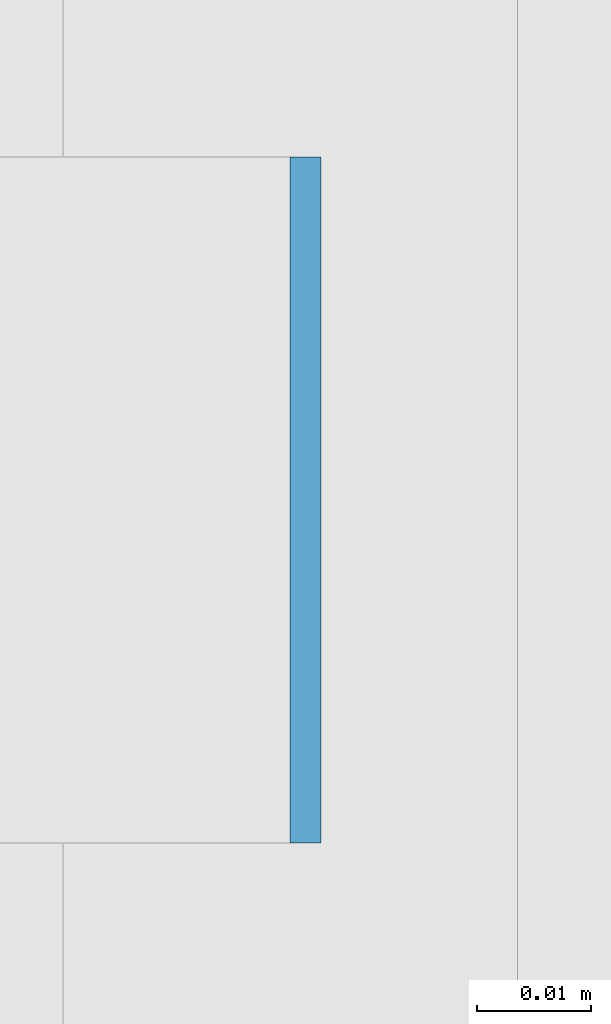
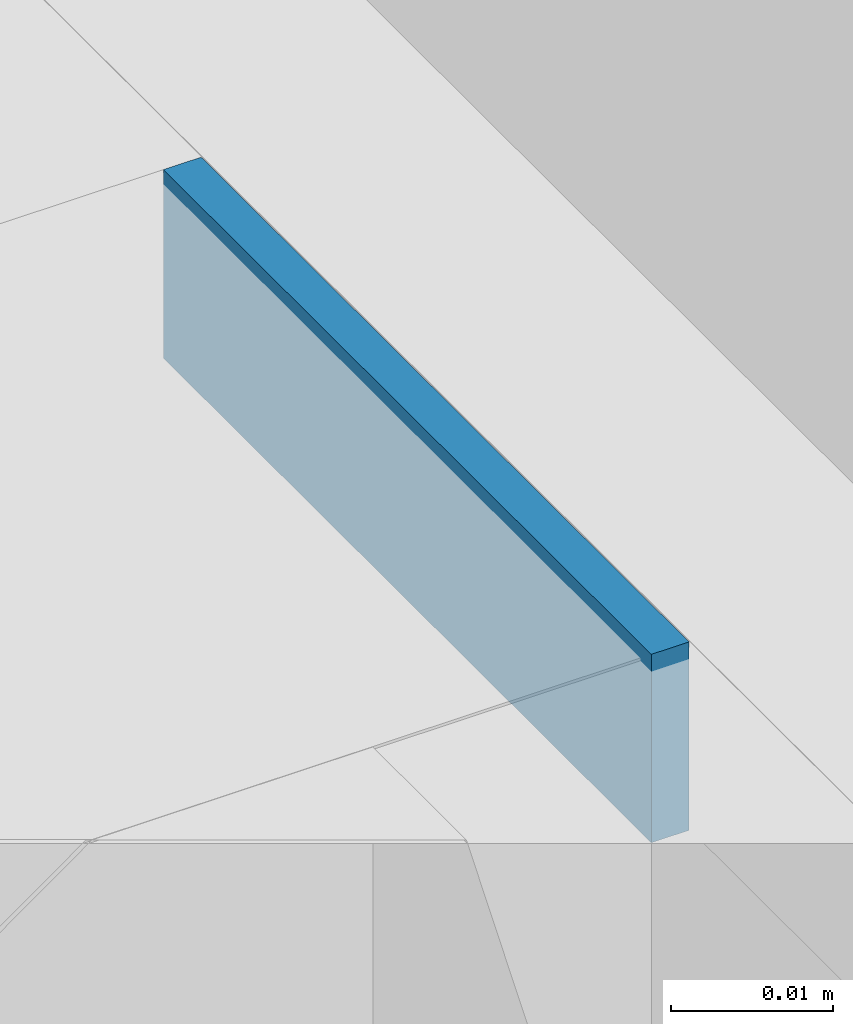
# One storey, part 423 of 646: 1 discrete accessory.
"""IFC4 building model written with IfcOpenShell, lengths in metres."""

import ifcopenshell
import ifcopenshell.guid

model = None  # the IFC model being written
_history = None  # IfcOwnerHistory: only IFC2X3 demands one
_inside = {}  # id of a spatial element -> (the spatial element, [elements in it])
_under = {}  # id of a project, library or spatial element -> (it, [spatial elements below it])
_declared = {}  # id of a project -> (the project, [libraries it declares])
_typed = {}  # id of a type object -> (the type object, [elements of that type])
_made_of = {}  # id of a material, layer set ... -> (it, [elements and type objects made of it])


def new_model(schema):
    """Start an empty IFC model of exactly this schema.

    Asked for "IFC4X3", IfcOpenShell would pick the latest addendum, in which some entities
    have other attributes; the version numbers below select the first issue.
    IFC2X3 requires an IfcOwnerHistory on every rooted entity: one is made here for all.
    """
    global model, _history
    if schema == "IFC4X3":
        model = ifcopenshell.file(schema_version=(4, 3, 0, 0))
    else:
        model = ifcopenshell.file(schema=schema)
    _inside.clear()
    _under.clear()
    _declared.clear()
    _typed.clear()
    _made_of.clear()
    _history = None
    if model.schema == "IFC2X3":
        org = make("IfcOrganization", Name="unknown")
        user = make(
            "IfcPersonAndOrganization",
            ThePerson=make("IfcPerson", FamilyName="unknown"),
            TheOrganization=org,
        )
        app = make(
            "IfcApplication",
            ApplicationDeveloper=org,
            Version="unknown",
            ApplicationFullName="unknown",
            ApplicationIdentifier="unknown",
        )
        _history = make(
            "IfcOwnerHistory",
            OwningUser=user,
            OwningApplication=app,
            ChangeAction="ADDED",
            CreationDate=0,
        )
    return model


def make(cls, **values):
    """One entity of the class cls with the attributes given. An attribute that is None is left unset."""
    return model.create_entity(
        cls, **{name: value for name, value in values.items() if value is not None}
    )


def rooted(cls, **values):
    """An entity with a GlobalId (a new one), such as an element, a storey or a relation."""
    return make(cls, GlobalId=ifcopenshell.guid.new(), OwnerHistory=_history, **values)


def si_unit(unit_type, name, prefix=None):
    """IfcSIUnit, for example si_unit("LENGTHUNIT", "METRE", prefix="MILLI")."""
    return make("IfcSIUnit", UnitType=unit_type, Prefix=prefix, Name=name)


def assignment(units):
    """IfcUnitAssignment: the units of a project."""
    return None if units is None else make("IfcUnitAssignment", Units=units)


def point(xyz):
    """IfcCartesianPoint."""
    return None if xyz is None else make("IfcCartesianPoint", Coordinates=xyz)


def direction(xyz):
    """IfcDirection."""
    return None if xyz is None else make("IfcDirection", DirectionRatios=xyz)


def frame(location, z_axis=None, x_axis=None):
    """IfcAxis2Placement3D, a coordinate frame: its origin and axes. An axis left out is left unset."""
    return make(
        "IfcAxis2Placement3D",
        Location=point(location),
        Axis=direction(z_axis),
        RefDirection=direction(x_axis),
    )


def frame_2d(location, x_axis=None):
    """IfcAxis2Placement2D, a coordinate frame in the plane: its origin and x axis."""
    return make(
        "IfcAxis2Placement2D", Location=point(location), RefDirection=direction(x_axis)
    )


def origin():
    """The frame at (0, 0, 0) with its axes left unset."""
    return frame((0.0, 0.0, 0.0))


def origin_2d():
    """The frame at (0, 0) in the plane with its x axis left unset."""
    return frame_2d((0.0, 0.0))


def place(relative_to, where):
    """IfcLocalPlacement: puts the frame where relative to a parent placement (None: the world)."""
    return make(
        "IfcLocalPlacement", PlacementRelTo=relative_to, RelativePlacement=where
    )


def context(
    kind, dimensions, precision=None, world=None, true_north=None, identifier=None
):
    """IfcGeometricRepresentationContext, for example the 3D "Model" context."""
    return make(
        "IfcGeometricRepresentationContext",
        ContextIdentifier=identifier,
        ContextType=kind,
        CoordinateSpaceDimension=dimensions,
        Precision=precision,
        WorldCoordinateSystem=world,
        TrueNorth=true_north,
    )


def subcontext(parent, identifier, kind, view, scale=None):
    """IfcGeometricRepresentationSubContext, for example "Body" below "Model"."""
    return make(
        "IfcGeometricRepresentationSubContext",
        ContextIdentifier=identifier,
        ContextType=kind,
        ParentContext=parent,
        TargetScale=scale,
        TargetView=view,
    )


def project(units=None, contexts=None):
    """IfcProject with its units and contexts."""
    return rooted(
        "IfcProject",
        Name="project",
        RepresentationContexts=contexts,
        UnitsInContext=assignment(units),
    )


def spatial(cls, under=None, at=None, **own):
    """A site, building, storey or space (cls), placed at a placement, below another one or the project."""
    s = rooted(cls, ObjectPlacement=at, **own)
    if under is not None:
        _under.setdefault(under.id(), (under, []))[1].append(s)
    return s


def profile(cls, at=None, kind="AREA", **sizes):
    """A parametric profile (cls). Its sizes go by their IFC names, for example OverallWidth=200.0."""
    return make(cls, ProfileType=kind, Position=at, **sizes)


def rectangle(**sizes):
    """IfcRectangleProfileDef."""
    return profile("IfcRectangleProfileDef", **sizes)


def extrude(swept, where, along, depth):
    """IfcExtrudedAreaSolid: the profile swept, set in the frame where, extruded along a direction by depth."""
    return make(
        "IfcExtrudedAreaSolid",
        SweptArea=swept,
        Position=where,
        ExtrudedDirection=direction(along),
        Depth=depth,
    )


def shape(context_of_items, identifier, shape_type, items):
    """IfcShapeRepresentation: the items that make up one representation, for example the "Body"."""
    return make(
        "IfcShapeRepresentation",
        ContextOfItems=context_of_items,
        RepresentationIdentifier=identifier,
        RepresentationType=shape_type,
        Items=items,
    )


def material(Name=None, Category=None):
    """IfcMaterial."""
    return make("IfcMaterial", Name=Name, Category=Category)


def made_of(thing, what):
    """Note that an element or type object is made of a material, layer set ...; save() writes the relation."""
    if what is not None:
        _made_of.setdefault(what.id(), (what, []))[1].append(thing)
    return thing


def type_object(cls, material=None, **own):
    """A type object (cls), such as IfcWallType, which elements share."""
    return made_of(rooted(cls, **own), material)


def element(
    cls,
    number,
    at=None,
    inside=None,
    cuts=None,
    type_object=None,
    material=None,
    context=None,
    identifier="Body",
    shape_type=None,
    held_by="IfcProductDefinitionShape",
    body=None,
    shapes=None,
    **own,
):
    """One element of the class cls, such as IfcWall. Its Tag is "e" and its number.

    at: its placement. inside: the storey or other place that contains it. cuts: it is an
    opening in that element (IfcRelVoidsElement). A single representation is given by context,
    identifier, shape_type and body (its items); several are given by shapes. held_by: the class
    of the entity that holds the representations. save() writes the other relations.
    """
    e = rooted(cls, Tag="e%d" % number, ObjectPlacement=at, **own)
    if body is not None:
        shapes = [shape(context, identifier, shape_type, body)]
    if shapes is not None:
        e.Representation = make(held_by, Representations=shapes)
    if inside is not None:
        _inside.setdefault(inside.id(), (inside, []))[1].append(e)
    if cuts is not None:
        rooted(
            "IfcRelVoidsElement", RelatingBuildingElement=cuts, RelatedOpeningElement=e
        )
    if type_object is not None:
        _typed.setdefault(type_object.id(), (type_object, []))[1].append(e)
    return made_of(e, material)


def aggregate(whole, parts):
    """IfcRelAggregates: a whole, such as a stair, and the parts it consists of."""
    return rooted("IfcRelAggregates", RelatingObject=whole, RelatedObjects=parts)


def save(model, path):
    """Write the relations noted so far, then the file.

    IfcRelAggregates (storeys below a building ...), IfcRelContainedInSpatialStructure (elements
    in a storey), IfcRelDefinesByType, IfcRelAssociatesMaterial and IfcRelDeclares: one each for
    every whole, place, type object, material and project.
    """
    for whole, parts in _under.values():
        aggregate(whole, parts)
    for where, things in _inside.values():
        rooted(
            "IfcRelContainedInSpatialStructure",
            RelatedElements=things,
            RelatingStructure=where,
        )
    for kind, things in _typed.values():
        rooted("IfcRelDefinesByType", RelatedObjects=things, RelatingType=kind)
    for what, things in _made_of.values():
        rooted("IfcRelAssociatesMaterial", RelatedObjects=things, RelatingMaterial=what)
    for by, libraries in _declared.values():
        rooted("IfcRelDeclares", RelatingContext=by, RelatedDefinitions=libraries)
    model.write(path)


model = new_model("IFC4")

# Units and contexts
model_context = context("Model", 3, precision=1e-05, world=origin(), true_north=direction((0.0, 1.0)))
body_context = subcontext(model_context, "Body", "Model", "MODEL_VIEW")
ifc_project = project(units=[si_unit("LENGTHUNIT", "METRE"), si_unit("AREAUNIT", "SQUARE_METRE"), si_unit("VOLUMEUNIT", "CUBIC_METRE"), si_unit("PLANEANGLEUNIT", "RADIAN"), si_unit("MASSUNIT", "GRAM", prefix="KILO")], contexts=[model_context])

# Site, building, storey
site_placement = place(None, origin())
site = spatial("IfcSite", under=ifc_project, at=site_placement, CompositionType="ELEMENT")
building_placement = place(site_placement, origin())
building = spatial("IfcBuilding", under=site, at=building_placement, Name="Silverbay Arena", CompositionType="ELEMENT")
storey_placement = place(building_placement, frame((0.0, 0.0, 33.5)))
storey = spatial("IfcBuildingStorey", under=building, at=storey_placement, Name="L05", CompositionType="ELEMENT", Elevation=33.5)

# Discrete accessory
ifc_material = material(Name="Steel S355", Category="steel")
discrete_accessory_type = type_object("IfcDiscreteAccessoryType", Name="Steel bracket plate", PredefinedType="BRACKET", material=ifc_material)
discrete_accessory_placement = place(storey_placement, frame((53.871337890625, 133.166748046875, 12.98583984375), z_axis=(0.0, 0.0, 1.0), x_axis=(1.0, 0.0, 0.0)))
element("IfcDiscreteAccessory", 1, at=discrete_accessory_placement, inside=storey, type_object=discrete_accessory_type, Name="Curtain wall packing plate", PredefinedType="BRACKET", context=body_context, shape_type="SweptSolid", body=[
    extrude(rectangle(XDim=0.002685546875, YDim=0.06005859375, at=origin_2d()), origin(), (0.0, 0.0, 1.0), 0.01416015625),
])

save(model, "model.ifc")
